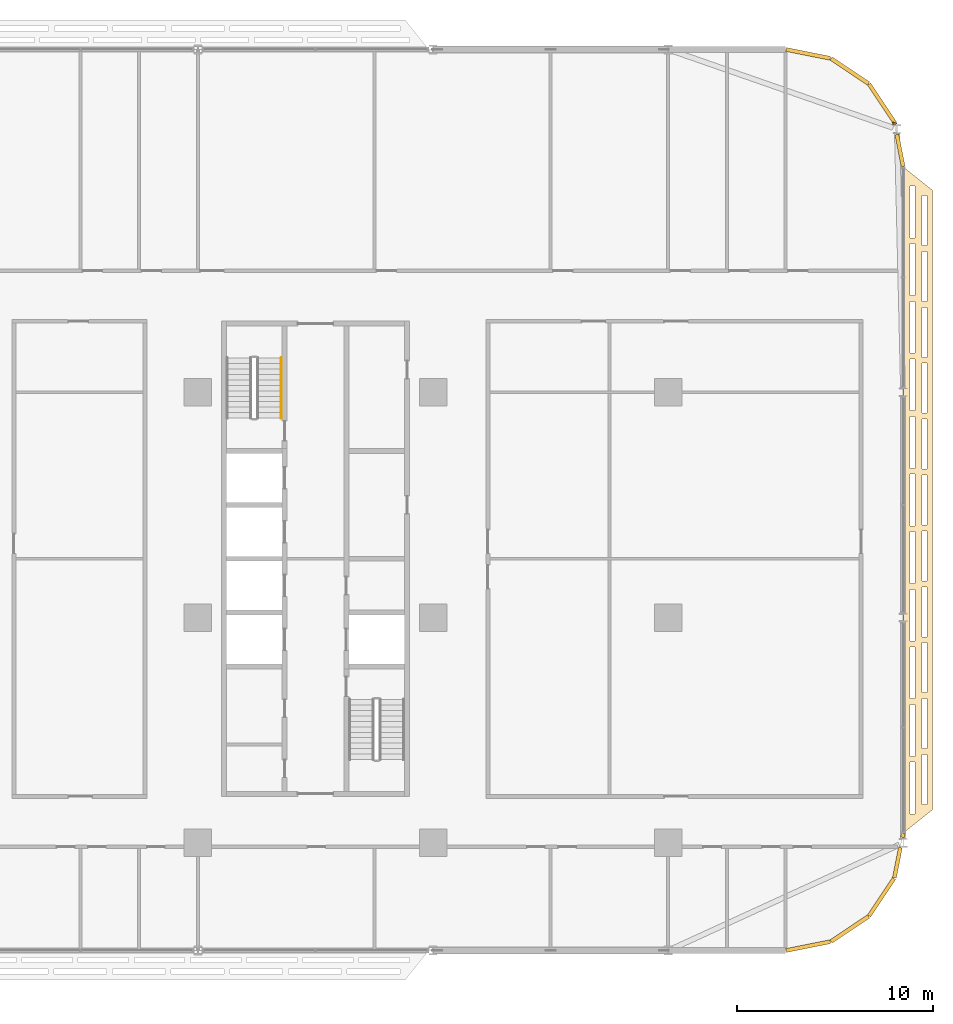
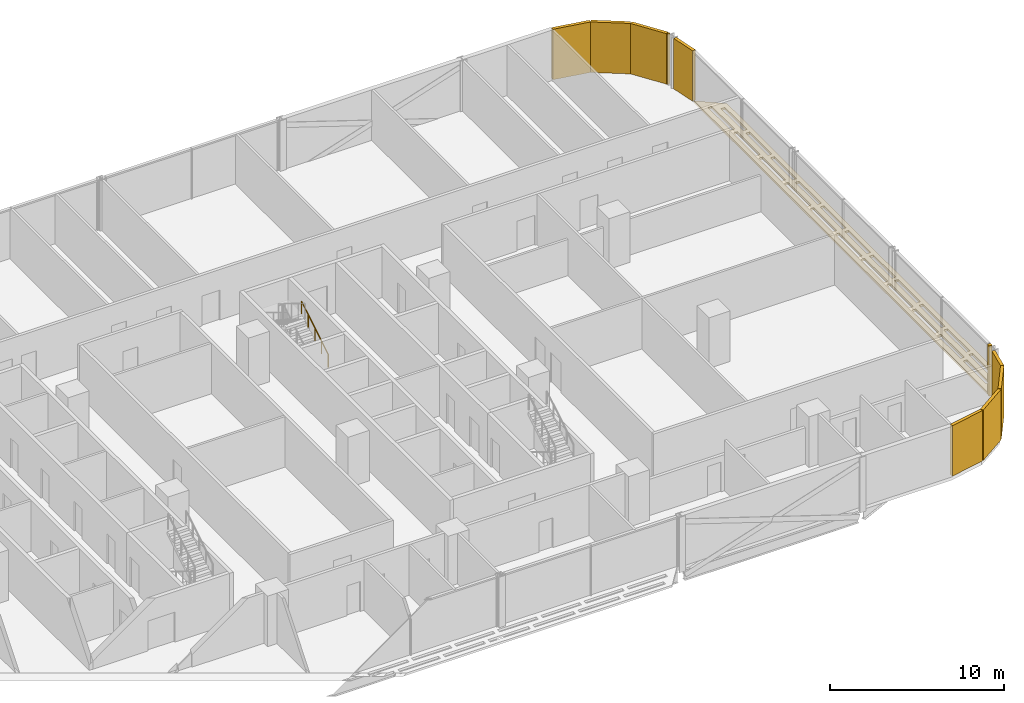
# One storey, part 29 of 29: 11 coverings, 1 railing.
"""IFC4 building model written with IfcOpenShell, lengths in metres."""

from ifc_helpers import new_model, si_unit, direction, frame, origin, origin_2d, place, context, subcontext, project, spatial, polyline, rectangle, circle, outline, extrude, material, layer, layer_set, type_object, element, save


model = new_model("IFC4")

# Units and contexts
model_context = context("Model", 3, precision=1e-05, world=origin(), true_north=direction((0.0, 1.0)))
body_context = subcontext(model_context, "Body", "Model", "MODEL_VIEW")
ifc_project = project(units=[si_unit("LENGTHUNIT", "METRE"), si_unit("AREAUNIT", "SQUARE_METRE"), si_unit("VOLUMEUNIT", "CUBIC_METRE"), si_unit("PLANEANGLEUNIT", "RADIAN"), si_unit("MASSUNIT", "GRAM", prefix="KILO")], contexts=[model_context])

# Site, building, storey
site_placement = place(None, origin())
site = spatial("IfcSite", under=ifc_project, at=site_placement, CompositionType="ELEMENT")
building_placement = place(site_placement, origin())
building = spatial("IfcBuilding", under=site, at=building_placement, Name="Mahtab Terrace Research Tower", CompositionType="ELEMENT")
storey_placement = place(building_placement, frame((0.0, 0.0, 113.5)))
storey = spatial("IfcBuildingStorey", under=building, at=storey_placement, Name="L26", CompositionType="ELEMENT", Elevation=113.5)

# Coverings
ifc_material_1 = material(Name="Black aluminium cladding panel", Category="aluminium")
ifc_layer_1 = layer(ifc_material_1, 0.199951171875)
ifc_layer_set_1 = layer_set([ifc_layer_1], Name="Black metal corner cladding 200")
covering_type_1 = type_object("IfcCoveringType", Name="Black metal corner cladding 200", PredefinedType="CLADDING", material=ifc_layer_set_1)
for number, where, z_axis, x_axis, name in (
    (1, (52.89306640625, 26.26953125, 0.0), (0.0, 0.0, 1.0), (-0.555291490808, 0.831655794326, 0.0), "Corner cladding L26 0"),
    (2, (51.26953125, 27.89306640625, 0.0), (0.0, 0.0, 1.0), (-0.831655794326, 0.555291490808, 0.0), "Corner cladding L26 1"),
    (3, (49.14794921875, 28.771484375, 0.0), (0.0, 0.0, 1.0), (-0.980760981187, 0.195212442692, 0.0), "Corner cladding L26 2"),
    (4, (49.14794921875, -16.771484375, 0.0), (0.0, 0.0, 1.0), (0.980760981187, 0.195212442692, 0.0), "Corner cladding L26 31"),
    (5, (51.26953125, -15.89306640625, 0.0), (0.0, 0.0, 1.0), (0.831655794326, 0.555291490808, 0.0), "Corner cladding L26 32"),
    (6, (52.89306640625, -14.26953125, 0.0), (0.0, 0.0, 1.0), (0.555291490808, 0.831655794326, 0.0), "Corner cladding L26 33"),
):
    element("IfcCovering", number, at=place(storey_placement, frame(where, z_axis=z_axis, x_axis=x_axis)), inside=storey, type_object=covering_type_1, Name=name, PredefinedType="CLADDING", context=body_context, shape_type="SweptSolid", body=[
        extrude(rectangle(XDim=2.30126953125, YDim=0.199951171875, at=origin_2d()), origin(), (0.0, 0.0, 1.0), 3.550048828125),
    ])
covering_1_placement = place(storey_placement, frame((53.699462890625, -12.51025390625, 0.0), z_axis=(0.0, 0.0, 1.0), x_axis=(0.195212442692, 0.980760981187, 0.0)))
element("IfcCovering", 7, at=covering_1_placement, inside=storey, type_object=covering_type_1, Name="Corner cladding L26 34", PredefinedType="CLADDING", context=body_context, shape_type="SweptSolid", body=[
    extrude(rectangle(XDim=1.562744140625, YDim=0.199951171875, at=origin_2d()), origin(), (0.0, 0.0, 1.0), 3.550048828125),
])
covering_2_placement = place(storey_placement, frame((53.977294921875, -11.114013671875, 0.0), z_axis=(0.0, 0.0, 1.0), x_axis=(0.195212442692, 0.980760981187, 0.0)))
element("IfcCovering", 8, at=covering_2_placement, inside=storey, type_object=covering_type_1, Name="Corner cladding L26 35", PredefinedType="CLADDING", context=body_context, shape_type="SweptSolid", body=[
    extrude(rectangle(XDim=0.212158203125, YDim=0.199951171875, at=origin_2d()), origin(), (0.0, 0.0, 1.0), 3.550048828125),
])
covering_3_placement = place(storey_placement, frame((53.833740234375, 23.83544921875, 0.0), z_axis=(0.0, 0.0, 1.0), x_axis=(-0.195212442692, 0.980760981187, 0.0)))
element("IfcCovering", 9, at=covering_3_placement, inside=storey, type_object=covering_type_1, Name="Corner cladding L26 39", PredefinedType="CLADDING", context=body_context, shape_type="SweptSolid", body=[
    extrude(rectangle(XDim=1.6640625, YDim=0.199951171875, at=origin_2d()), origin(), (0.0, 0.0, 1.0), 3.550048828125),
])
covering_4_placement = place(storey_placement, frame((53.5556640625, 25.231689453125, 0.0), z_axis=(0.0, 0.0, 1.0), x_axis=(-0.195212442692, 0.980760981187, 0.0)))
element("IfcCovering", 10, at=covering_4_placement, inside=storey, type_object=covering_type_1, Name="Corner cladding L26 40", PredefinedType="CLADDING", context=body_context, shape_type="SweptSolid", body=[
    extrude(rectangle(XDim=0.11083984375, YDim=0.199951171875, at=origin_2d()), origin(), (0.0, 0.0, 1.0), 3.550048828125),
])
ifc_material_2 = material(Name="Black anodised aluminium", Category="aluminium")
ifc_layer_2 = layer(ifc_material_2, 0.14990234375)
ifc_layer_set_2 = layer_set([ifc_layer_2], Name="Horizontal sunshade band")
covering_type_2 = type_object("IfcCoveringType", Name="Horizontal sunshade band", PredefinedType="CLADDING", material=ifc_layer_set_2)
covering_5_placement = place(storey_placement, frame((0.0, 0.0, -0.14990234375)))
element("IfcCovering", 11, at=covering_5_placement, inside=storey, type_object=covering_type_2, Name="Sunshade band L26 36", PredefinedType="CLADDING", context=body_context, shape_type="SweptSolid", body=[
    extrude(outline(polyline([(54.0, -11.0), (54.0, 23.0), (55.5, 21.800048828125), (55.5, -9.800048828125), (54.0, -11.0)]), holes=[polyline([(54.35009765625, -10.02001953125), (54.35009765625, -7.3798828125), (54.60009765625, -7.3798828125), (54.60009765625, -10.02001953125), (54.35009765625, -10.02001953125)]), polyline([(54.35009765625, -7.080078125), (54.35009765625, -4.43994140625), (54.60009765625, -4.43994140625), (54.60009765625, -7.080078125), (54.35009765625, -7.080078125)]), polyline([(54.35009765625, -4.139892578125), (54.35009765625, -1.5), (54.60009765625, -1.5), (54.60009765625, -4.139892578125), (54.35009765625, -4.139892578125)]), polyline([(54.35009765625, -1.199951171875), (54.35009765625, 1.43994140625), (54.60009765625, 1.43994140625), (54.60009765625, -1.199951171875), (54.35009765625, -1.199951171875)]), polyline([(54.35009765625, 1.739990234375), (54.35009765625, 4.3798828125), (54.60009765625, 4.3798828125), (54.60009765625, 1.739990234375), (54.35009765625, 1.739990234375)]), polyline([(54.35009765625, 4.679931640625), (54.35009765625, 7.320068359375), (54.60009765625, 7.320068359375), (54.60009765625, 4.679931640625), (54.35009765625, 4.679931640625)]), polyline([(54.35009765625, 7.6201171875), (54.35009765625, 10.260009765625), (54.60009765625, 10.260009765625), (54.60009765625, 7.6201171875), (54.35009765625, 7.6201171875)]), polyline([(54.35009765625, 10.56005859375), (54.35009765625, 13.199951171875), (54.60009765625, 13.199951171875), (54.60009765625, 10.56005859375), (54.35009765625, 10.56005859375)]), polyline([(54.35009765625, 13.5), (54.35009765625, 16.139892578125), (54.60009765625, 16.139892578125), (54.60009765625, 13.5), (54.35009765625, 13.5)]), polyline([(54.35009765625, 16.43994140625), (54.35009765625, 19.080078125), (54.60009765625, 19.080078125), (54.60009765625, 16.43994140625), (54.35009765625, 16.43994140625)]), polyline([(54.35009765625, 19.3798828125), (54.35009765625, 22.02001953125), (54.60009765625, 22.02001953125), (54.60009765625, 19.3798828125), (54.35009765625, 19.3798828125)]), polyline([(54.949951171875, -9.5400390625), (54.949951171875, -6.987060546875), (55.199951171875, -6.987060546875), (55.199951171875, -9.5400390625), (54.949951171875, -9.5400390625)]), polyline([(54.949951171875, -6.68701171875), (54.949951171875, -4.135009765625), (55.199951171875, -4.135009765625), (55.199951171875, -6.68701171875), (54.949951171875, -6.68701171875)]), polyline([(54.949951171875, -3.8349609375), (54.949951171875, -1.281982421875), (55.199951171875, -1.281982421875), (55.199951171875, -3.8349609375), (54.949951171875, -3.8349609375)]), polyline([(54.949951171875, -0.98193359375), (54.949951171875, 1.571044921875), (55.199951171875, 1.571044921875), (55.199951171875, -0.98193359375), (54.949951171875, -0.98193359375)]), polyline([(54.949951171875, 1.87109375), (54.949951171875, 4.424072265625), (55.199951171875, 4.424072265625), (55.199951171875, 1.87109375), (54.949951171875, 1.87109375)]), polyline([(54.949951171875, 4.72412109375), (54.949951171875, 7.27587890625), (55.199951171875, 7.27587890625), (55.199951171875, 4.72412109375), (54.949951171875, 4.72412109375)]), polyline([(54.949951171875, 7.575927734375), (54.949951171875, 10.12890625), (55.199951171875, 10.12890625), (55.199951171875, 7.575927734375), (54.949951171875, 7.575927734375)]), polyline([(54.949951171875, 10.428955078125), (54.949951171875, 12.98193359375), (55.199951171875, 12.98193359375), (55.199951171875, 10.428955078125), (54.949951171875, 10.428955078125)]), polyline([(54.949951171875, 13.281982421875), (54.949951171875, 15.8349609375), (55.199951171875, 15.8349609375), (55.199951171875, 13.281982421875), (54.949951171875, 13.281982421875)]), polyline([(54.949951171875, 16.135009765625), (54.949951171875, 18.68701171875), (55.199951171875, 18.68701171875), (55.199951171875, 16.135009765625), (54.949951171875, 16.135009765625)]), polyline([(54.949951171875, 18.987060546875), (54.949951171875, 21.5400390625), (55.199951171875, 21.5400390625), (55.199951171875, 18.987060546875), (54.949951171875, 18.987060546875)])]), origin(), (0.0, 0.0, 1.0), 0.14990234375),
])

# Railing
ifc_material_3 = material(Name="Stainless steel AISI 304", Category="steel")
railing_type = type_object("IfcRailingType", Name="Stair handrail 900", PredefinedType="HANDRAIL", material=ifc_material_3)
railing_placement = place(storey_placement, frame((22.25, 10.175048828125, 0.1708984375)))
element("IfcRailing", 12, at=railing_placement, inside=storey, type_object=railing_type, Name="L26 ST3 stair handrail 1", PredefinedType="HANDRAIL", context=body_context, shape_type="SweptSolid", body=[
    extrude(circle(Radius=0.02392578125, at=origin_2d()), frame((0.0, 0.0, 0.8759765625), z_axis=(0.0, 0.853647949592, 0.520850437417), x_axis=(-1.0, 0.0, 0.0)), (0.0, 0.0, 1.0), 3.60791015625),
    extrude(circle(Radius=0.02099609375, at=origin_2d()), origin(), (0.0, 0.0, 1.0), 0.851806640625),
    extrude(circle(Radius=0.02099609375, at=origin_2d()), frame((0.0, 0.77001953125, 0.4697265625)), (0.0, 0.0, 1.0), 0.851806640625),
    extrude(circle(Radius=0.02099609375, at=origin_2d()), frame((0.0, 1.5400390625, 0.939453125)), (0.0, 0.0, 1.0), 0.851806640625),
    extrude(circle(Radius=0.02099609375, at=origin_2d()), frame((0.0, 2.309814453125, 1.409423828125)), (0.0, 0.0, 1.0), 0.851806640625),
    extrude(circle(Radius=0.02099609375, at=origin_2d()), frame((0.0, 3.079833984375, 1.879150390625)), (0.0, 0.0, 1.0), 0.851806640625),
])

save(model, "model.ifc")
